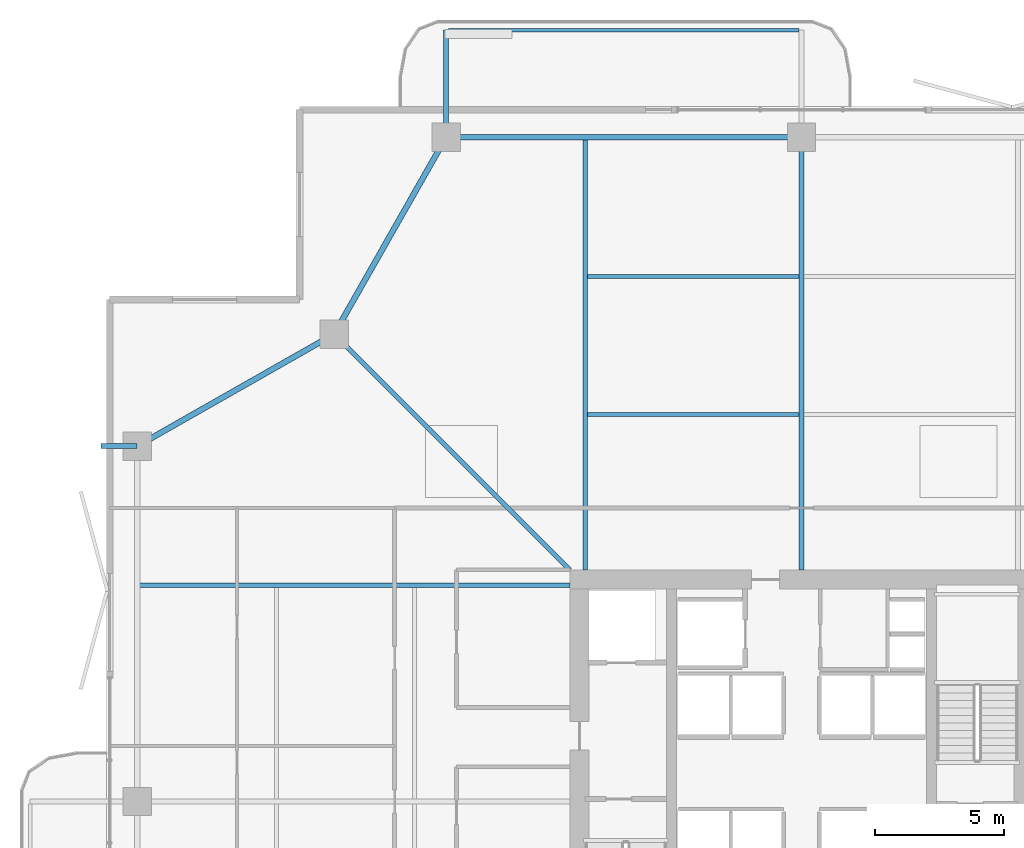
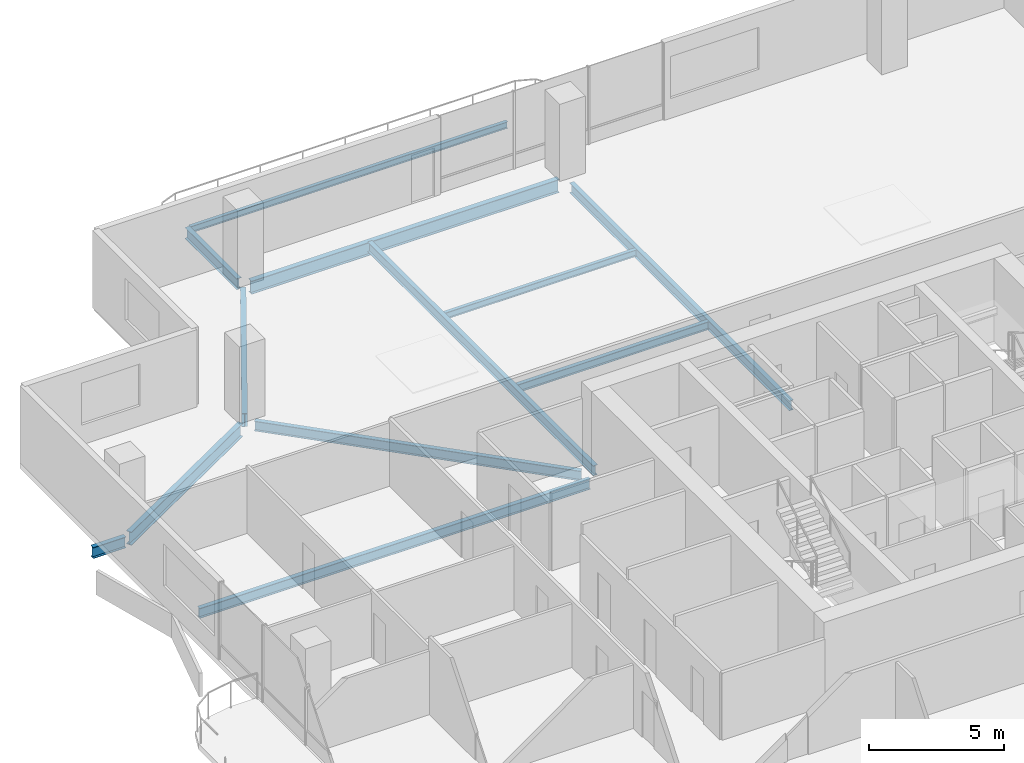
# One storey, part 10 of 24: 12 beams.
"""IFC4 building model written with IfcOpenShell, lengths in metres."""

from ifc_helpers import new_model, si_unit, direction, frame, origin, origin_2d, place, context, subcontext, project, spatial, i_section, extrude, material, material_profile, profile_set, type_object, element, save


model = new_model("IFC4")

# Units and contexts
model_context = context("Model", 3, precision=1e-05, world=origin(), true_north=direction((0.0, 1.0)))
body_context = subcontext(model_context, "Body", "Model", "MODEL_VIEW")
ifc_project = project(units=[si_unit("LENGTHUNIT", "METRE"), si_unit("AREAUNIT", "SQUARE_METRE"), si_unit("VOLUMEUNIT", "CUBIC_METRE"), si_unit("PLANEANGLEUNIT", "RADIAN"), si_unit("MASSUNIT", "GRAM", prefix="KILO")], contexts=[model_context])

# Site, building, storey
site_placement = place(None, origin())
site = spatial("IfcSite", under=ifc_project, at=site_placement, CompositionType="ELEMENT")
building_placement = place(site_placement, origin())
building = spatial("IfcBuilding", under=site, at=building_placement, Name="Belovzor Exchange Tower", CompositionType="ELEMENT")
storey_placement = place(building_placement, frame((0.0, 0.0, 214.949951171875)))
storey = spatial("IfcBuildingStorey", under=building, at=storey_placement, Name="L53", CompositionType="ELEMENT", Elevation=214.949951171875)

# Beams
ifc_material_1 = material(Name="Steel S355", Category="steel")
ifc_material_profile_1 = material_profile(ifc_material_1, i_section(OverallWidth=0.199951171875, OverallDepth=0.5, WebThickness=0.01025390625, FlangeThickness=0.01611328125, at=origin_2d()))
ifc_profile_set_1 = profile_set([ifc_material_profile_1], Name="Steel S355")
beam_type_1 = type_object("IfcBeamType", Name="Planted Balcony Cantilever Beam IPE 500", PredefinedType="BEAM", material=ifc_profile_set_1)
beam_1_placement = place(storey_placement, frame((15.0, 54.903076171875, -0.5), z_axis=(0.0, 1.0, 0.0), x_axis=(-1.0, 0.0, 0.0)))
element("IfcBeam", 1, at=beam_1_placement, inside=storey, type_object=beam_type_1, Name="BC-500 Planted Balcony Cantilever Beam IPE 500", PredefinedType="BEAM", context=body_context, shape_type="SweptSolid", body=[
    extrude(i_section(OverallWidth=0.199951171875, OverallDepth=0.5, WebThickness=0.01025390625, FlangeThickness=0.01611328125, at=origin_2d()), origin(), (0.0, 0.0, 1.0), 3.849853515625),
])
beam_2_placement = place(storey_placement, frame((3.0, 42.60009765625, -0.5), z_axis=(-1.0, 0.0, 0.0), x_axis=(0.0, -1.0, 0.0)))
element("IfcBeam", 2, at=beam_2_placement, inside=storey, type_object=beam_type_1, Name="BC-500 Planted Balcony Cantilever Beam IPE 500", PredefinedType="BEAM", context=body_context, shape_type="SweptSolid", body=[
    extrude(i_section(OverallWidth=0.199951171875, OverallDepth=0.5, WebThickness=0.01025390625, FlangeThickness=0.01611328125, at=origin_2d()), origin(), (0.0, 0.0, 1.0), 1.39990234375),
])
ifc_material_2 = material(Name="Steel S355", Category="steel")
ifc_material_profile_2 = material_profile(ifc_material_2, i_section(OverallWidth=0.14990234375, OverallDepth=0.300048828125, WebThickness=0.007080078125, FlangeThickness=0.0107421875, at=origin_2d()))
ifc_profile_set_2 = profile_set([ifc_material_profile_2], Name="Steel S355")
beam_type_2 = type_object("IfcBeamType", Name="Planted Balcony Fascia Edge Beam IPE 300", PredefinedType="BEAM", material=ifc_profile_set_2)
beam_3_placement = place(storey_placement, frame((28.699951171875, 58.7529296875, -0.39990234375), z_axis=(-1.0, 0.0, 0.0), x_axis=(0.0, -1.0, 0.0)))
element("IfcBeam", 3, at=beam_3_placement, inside=storey, type_object=beam_type_2, Name="BC-300 Planted Balcony Fascia Edge Beam IPE 300", PredefinedType="BEAM", context=body_context, shape_type="SweptSolid", body=[
    extrude(i_section(OverallWidth=0.14990234375, OverallDepth=0.300048828125, WebThickness=0.007080078125, FlangeThickness=0.0107421875, at=origin_2d()), origin(), (0.0, 0.0, 1.0), 13.599853515625),
])
ifc_material_3 = material(Name="Steel S355", Category="steel")
ifc_material_profile_3 = material_profile(ifc_material_3, i_section(OverallWidth=0.169921875, OverallDepth=0.360107421875, WebThickness=0.008056640625, FlangeThickness=0.0126953125, at=origin_2d()))
ifc_profile_set_3 = profile_set([ifc_material_profile_3], Name="Steel S355")
beam_type_3 = type_object("IfcBeamType", Name="Secondary Infill Floor Joist IPE 360", PredefinedType="BEAM", material=ifc_profile_set_3)
beam_4_placement = place(storey_placement, frame((20.4951171875, 43.827880859375, -0.429931640625), z_axis=(1.0, 0.0, 0.0), x_axis=(0.0, 1.0, 0.0)))
element("IfcBeam", 4, at=beam_4_placement, inside=storey, type_object=beam_type_3, Name="FJ-360 Secondary Infill Floor Joist IPE 360", PredefinedType="BEAM", context=body_context, shape_type="SweptSolid", body=[
    extrude(i_section(OverallWidth=0.169921875, OverallDepth=0.360107421875, WebThickness=0.008056640625, FlangeThickness=0.0126953125, at=origin_2d()), origin(), (0.0, 0.0, 1.0), 8.2099609375),
])
ifc_material_4 = material(Name="Steel S355", Category="steel")
ifc_material_profile_4 = material_profile(ifc_material_4, i_section(OverallWidth=0.14990234375, OverallDepth=0.300048828125, WebThickness=0.007080078125, FlangeThickness=0.0107421875, at=origin_2d()))
ifc_profile_set_4 = profile_set([ifc_material_profile_4], Name="Steel S355")
beam_type_4 = type_object("IfcBeamType", Name="Secondary Trim Floor Joist IPE 300", PredefinedType="BEAM", material=ifc_profile_set_4)
beam_5_placement = place(storey_placement, frame((20.4951171875, 49.18701171875, -0.39990234375), z_axis=(1.0, 0.0, 0.0), x_axis=(0.0, 1.0, 0.0)))
element("IfcBeam", 5, at=beam_5_placement, inside=storey, type_object=beam_type_4, Name="FJ-300 Secondary Trim Floor Joist IPE 300", PredefinedType="BEAM", context=body_context, shape_type="SweptSolid", body=[
    extrude(i_section(OverallWidth=0.14990234375, OverallDepth=0.300048828125, WebThickness=0.007080078125, FlangeThickness=0.0107421875, at=origin_2d()), origin(), (0.0, 0.0, 1.0), 8.2099609375),
])
ifc_material_5 = material(Name="Steel S355", Category="steel")
ifc_material_profile_5 = material_profile(ifc_material_5, i_section(OverallWidth=0.18994140625, OverallDepth=0.449951171875, WebThickness=0.009521484375, FlangeThickness=0.0146484375, at=origin_2d()))
ifc_profile_set_5 = profile_set([ifc_material_profile_5], Name="Steel S355")
beam_type_5 = type_object("IfcBeamType", Name="Zone 2-4 Radial Composite Floor Beam IPE 450", PredefinedType="BEAM", material=ifc_profile_set_5)
beam_6_placement = place(storey_placement, frame((20.39990234375, 37.800048828125, -0.474853515625), z_axis=(0.0, 1.0, 0.0), x_axis=(-1.0, 0.0, 0.0)))
element("IfcBeam", 6, at=beam_6_placement, inside=storey, type_object=beam_type_5, Name="FB-450 Zone 2-4 Radial Composite Floor Beam IPE 450", PredefinedType="BEAM", context=body_context, shape_type="SweptSolid", body=[
    extrude(i_section(OverallWidth=0.18994140625, OverallDepth=0.449951171875, WebThickness=0.009521484375, FlangeThickness=0.0146484375, at=origin_2d()), origin(), (0.0, 0.0, 1.0), 16.744873046875),
])
beam_7_placement = place(storey_placement, frame((28.800048828125, 37.800048828125, -0.474853515625), z_axis=(0.0, 1.0, 0.0), x_axis=(-1.0, 0.0, 0.0)))
element("IfcBeam", 7, at=beam_7_placement, inside=storey, type_object=beam_type_5, Name="FB-450 Zone 2-4 Radial Composite Floor Beam IPE 450", PredefinedType="BEAM", context=body_context, shape_type="SweptSolid", body=[
    extrude(i_section(OverallWidth=0.18994140625, OverallDepth=0.449951171875, WebThickness=0.009521484375, FlangeThickness=0.0146484375, at=origin_2d()), origin(), (0.0, 0.0, 1.0), 16.31591796875),
])
beam_8_placement = place(storey_placement, frame((19.800048828125, 37.199951171875, -0.474853515625), z_axis=(-1.0, 0.0, 0.0), x_axis=(0.0, -1.0, 0.0)))
element("IfcBeam", 8, at=beam_8_placement, inside=storey, type_object=beam_type_5, Name="FB-450 Zone 2-4 Radial Composite Floor Beam IPE 450", PredefinedType="BEAM", context=body_context, shape_type="SweptSolid", body=[
    extrude(i_section(OverallWidth=0.18994140625, OverallDepth=0.449951171875, WebThickness=0.009521484375, FlangeThickness=0.0146484375, at=origin_2d()), origin(), (0.0, 0.0, 1.0), 16.7451171875),
])
beam_9_placement = place(storey_placement, frame((19.800048828125, 37.800048828125, -0.474853515625), z_axis=(-0.707106781187, 0.707106781187, 0.0), x_axis=(-0.707106781187, -0.707106781187, 0.0)))
element("IfcBeam", 9, at=beam_9_placement, inside=storey, type_object=beam_type_5, Name="FB-450 Zone 2-4 Radial Composite Floor Beam IPE 450", PredefinedType="BEAM", context=body_context, shape_type="SweptSolid", body=[
    extrude(i_section(OverallWidth=0.18994140625, OverallDepth=0.449951171875, WebThickness=0.009521484375, FlangeThickness=0.0146484375, at=origin_2d()), origin(), (0.0, 0.0, 1.0), 12.551025390625),
])
ifc_material_6 = material(Name="Steel S355", Category="steel")
ifc_material_profile_6 = material_profile(ifc_material_6, i_section(OverallWidth=0.219970703125, OverallDepth=0.60009765625, WebThickness=0.011962890625, FlangeThickness=0.01904296875, at=origin_2d()))
ifc_profile_set_6 = profile_set([ifc_material_profile_6], Name="Steel S355")
beam_type_6 = type_object("IfcBeamType", Name="Zone 4 Flare Primary Girder IPE 600", PredefinedType="BEAM", material=ifc_profile_set_6)
beam_10_placement = place(storey_placement, frame((28.498046875, 54.60009765625, -0.550048828125), z_axis=(-1.0, 0.0, 0.0), x_axis=(0.0, -1.0, 0.0)))
element("IfcBeam", 10, at=beam_10_placement, inside=storey, type_object=beam_type_6, Name="FG-Z4 Zone 4 Flare Primary Girder IPE 600", PredefinedType="BEAM", context=body_context, shape_type="SweptSolid", body=[
    extrude(i_section(OverallWidth=0.219970703125, OverallDepth=0.60009765625, WebThickness=0.011962890625, FlangeThickness=0.01904296875, at=origin_2d()), origin(), (0.0, 0.0, 1.0), 13.195068359375),
])
for number, where, z_axis, x_axis, name in (
    (11, (14.85009765625, 54.3369140625, -0.550048828125), (-0.494222323641, -0.869335547884, 0.0), (0.869335547884, -0.494222323641, 0.0), "FG-Z4 Zone 4 Flare Primary Girder IPE 600"),
    (12, (10.386962890625, 46.800048828125, -0.550048828125), (-0.869335547884, -0.494222323641, 0.0), (0.494222323641, -0.869335547884, 0.0), "FG-Z4 Zone 4 Flare Primary Girder IPE 600"),
):
    element("IfcBeam", number, at=place(storey_placement, frame(where, z_axis=z_axis, x_axis=x_axis)), inside=storey, type_object=beam_type_6, Name=name, PredefinedType="BEAM", context=body_context, shape_type="SweptSolid", body=[
        extrude(i_section(OverallWidth=0.219970703125, OverallDepth=0.60009765625, WebThickness=0.011962890625, FlangeThickness=0.01904296875, at=origin_2d()), origin(), (0.0, 0.0, 1.0), 8.19482421875),
    ])

save(model, "model.ifc")
